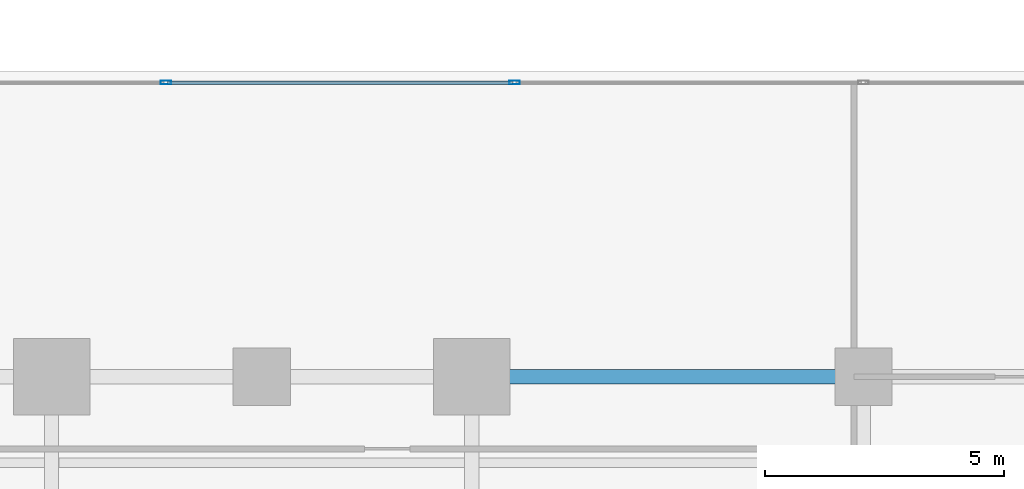
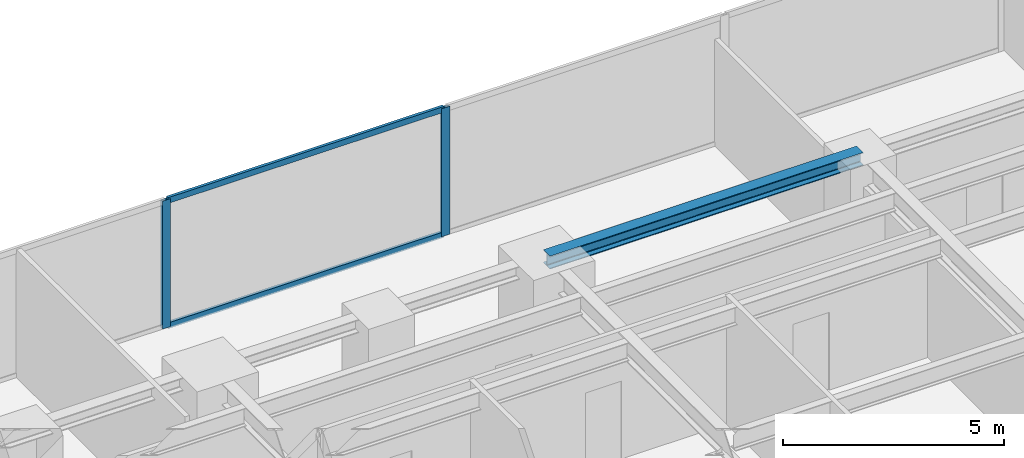
# One storey, part 13 of 27: 4 members, 1 beam, 1 element without a shape of its own.
"""IFC4 building model written with IfcOpenShell, lengths in metres."""

from ifc_helpers import new_model, si_unit, direction, frame, origin, origin_with_axes, origin_2d, place, context, subcontext, project, spatial, hollow_rectangle, i_section, extrude, source, transform, mapped, material, layer, layer_set, material_profile, profile_set, type_object, element, aggregate, save


model = new_model("IFC4")

# Units and contexts
model_context = context("Model", 3, precision=1e-05, world=origin(), true_north=direction((0.0, 1.0)))
body_context = subcontext(model_context, "Body", "Model", "MODEL_VIEW")
ifc_project = project(units=[si_unit("LENGTHUNIT", "METRE"), si_unit("AREAUNIT", "SQUARE_METRE"), si_unit("VOLUMEUNIT", "CUBIC_METRE"), si_unit("PLANEANGLEUNIT", "RADIAN"), si_unit("MASSUNIT", "GRAM", prefix="KILO")], contexts=[model_context])

# Site, building, storey
site_placement = place(None, origin())
site = spatial("IfcSite", under=ifc_project, at=site_placement, CompositionType="ELEMENT")
building_placement = place(site_placement, origin())
building = spatial("IfcBuilding", under=site, at=building_placement, Name="Kolvaren Waterfront Exchange", CompositionType="ELEMENT")
storey_placement = place(building_placement, frame((0.0, 0.0, 63.800048828125)))
storey = spatial("IfcBuildingStorey", under=building, at=storey_placement, Name="L16", CompositionType="ELEMENT", Elevation=63.800048828125)

# Beam
ifc_material_1 = material(Name="Steel S355", Category="steel")
ifc_material_profile_1 = material_profile(ifc_material_1, i_section(OverallWidth=0.300048828125, OverallDepth=0.360107421875, WebThickness=0.012451171875, FlangeThickness=0.0224609375, FilletRadius=0.027099609375, at=origin_2d()), Name="HEB360")
ifc_profile_set_1 = profile_set([ifc_material_profile_1], Name="Steel S355")
beam_type = type_object("IfcBeamType", Name="STR-BM-HEB360", PredefinedType="SPANDREL", material=ifc_profile_set_1)
beam_placement = place(storey_placement, frame((45.60009765625, 17.39990234375, 3.35986328125), z_axis=(1.0, 0.0, 0.0), x_axis=(0.0, 1.0, 0.0)))
element("IfcBeam", 1, at=beam_placement, inside=storey, type_object=beam_type, Name="L16 east-arm spandrel N4", PredefinedType="SPANDREL", context=body_context, shape_type="SweptSolid", body=[
    extrude(i_section(OverallWidth=0.300048828125, OverallDepth=0.360107421875, WebThickness=0.012451171875, FlangeThickness=0.0224609375, FilletRadius=0.027099609375, at=origin_2d()), origin(), (0.0, 0.0, 1.0), 8.199951171875),
])

# Curtain wall, members
ifc_material_2 = material(Name="Anodised bronze aluminium 6063-T6", Category="aluminium")
ifc_layer = layer(ifc_material_2, 0.219970703125, Name="Anodised bronze aluminium 6063-T6")
ifc_layer_set = layer_set([ifc_layer], Name="Anodised bronze aluminium 6063-T6")
curtain_wall_type = type_object("IfcCurtainWallType", Name="ARC-CW-SYS1", PredefinedType="USERDEFINED", material=ifc_layer_set)
curtain_wall_placement = place(storey_placement, origin())
curtain_wall = element("IfcCurtainWall", 2, at=curtain_wall_placement, inside=storey, type_object=curtain_wall_type, Name="L16 stick curtain wall CW1 (CW-L16-EN)", ObjectType="STICK CURTAIN WALL", PredefinedType="USERDEFINED")
ifc_material_3 = material(Name="Anodised aluminium 6063-T6", Category="aluminium")
ifc_material_profile_2 = material_profile(ifc_material_3, hollow_rectangle(XDim=0.074951171875, YDim=0.159912109375, WallThickness=0.00439453125, at=origin_2d()), Name="ALU-TRN-160x75x4.5")
ifc_profile_set_2 = profile_set([ifc_material_profile_2], Name="Anodised aluminium 6063-T6")
member_type_1 = type_object("IfcMemberType", Name="ARC-CWT-160", PredefinedType="USERDEFINED", material=ifc_profile_set_2)
shared_shape_1 = source(origin_with_axes(), body_context, "Body", "SweptSolid", [
    extrude(hollow_rectangle(XDim=0.074951171875, YDim=0.159912109375, WallThickness=0.00439453125, at=origin_2d()), origin(), (0.0, 0.0, 1.0), 7.22265625),
])
member_1_placement = place(storey_placement, frame((39.232421875, 23.56005859375, 0.037353515625), z_axis=(1.0, 0.0, 0.0), x_axis=(0.0, 1.0, 0.0)))
member_1 = element("IfcMember", 3, at=member_1_placement, type_object=member_type_1, Name="CW1 transom 2.1", ObjectType="TRANSOM", PredefinedType="USERDEFINED", context=body_context, shape_type="MappedRepresentation", body=[
    mapped(shared_shape_1, transform((0.0, 0.0, 0.0), x_axis=(1.0, 0.0, 0.0), y_axis=(0.0, 1.0, 0.0), z_axis=(0.0, 0.0, 1.0), scale=1.0)),
])
member_2_placement = place(storey_placement, frame((39.232421875, 23.56005859375, 3.50244140625), z_axis=(1.0, 0.0, 0.0), x_axis=(0.0, 1.0, 0.0)))
member_2 = element("IfcMember", 4, at=member_2_placement, type_object=member_type_1, Name="CW1 transom 2.2", ObjectType="TRANSOM", PredefinedType="USERDEFINED", context=body_context, shape_type="MappedRepresentation", body=[
    mapped(shared_shape_1, transform((0.0, 0.0, 0.0), x_axis=(1.0, 0.0, 0.0), y_axis=(0.0, 1.0, 0.0), z_axis=(0.0, 0.0, 1.0), scale=1.0)),
])
ifc_material_profile_3 = material_profile(ifc_material_3, hollow_rectangle(XDim=0.080078125, YDim=0.219970703125, WallThickness=0.0048828125, at=origin_2d()), Name="ALU-MUL-220x80x5")
ifc_profile_set_3 = profile_set([ifc_material_profile_3], Name="Anodised aluminium 6063-T6")
member_type_2 = type_object("IfcMemberType", Name="ARC-CWM-220", PredefinedType="MULLION", material=ifc_profile_set_3)
shared_shape_2 = source(origin_with_axes(), body_context, "Body", "SweptSolid", [
    extrude(hollow_rectangle(XDim=0.080078125, YDim=0.219970703125, WallThickness=0.0048828125, at=origin_2d()), origin(), (0.0, 0.0, 1.0), 3.5400390625),
])
member_3_placement = place(storey_placement, frame((39.1923828125, 23.56005859375, 0.0), z_axis=(0.0, 0.0, 1.0), x_axis=(0.0, 1.0, 0.0)))
member_3 = element("IfcMember", 5, at=member_3_placement, type_object=member_type_2, Name="CW1 mullion 2", PredefinedType="MULLION", context=body_context, shape_type="MappedRepresentation", body=[
    mapped(shared_shape_2, transform((0.0, 0.0, 0.0), x_axis=(1.0, 0.0, 0.0), y_axis=(0.0, 1.0, 0.0), z_axis=(0.0, 0.0, 1.0), scale=1.0)),
])
member_4_placement = place(storey_placement, frame((46.4951171875, 23.56005859375, 0.0), z_axis=(0.0, 0.0, 1.0), x_axis=(0.0, 1.0, 0.0)))
member_4 = element("IfcMember", 6, at=member_4_placement, type_object=member_type_2, Name="CW1 mullion 3", PredefinedType="MULLION", context=body_context, shape_type="MappedRepresentation", body=[
    mapped(shared_shape_2, transform((0.0, 0.0, 0.0), x_axis=(1.0, 0.0, 0.0), y_axis=(0.0, 1.0, 0.0), z_axis=(0.0, 0.0, 1.0), scale=1.0)),
])
aggregate(curtain_wall, [member_3, member_4, member_1, member_2])

save(model, "model.ifc")
